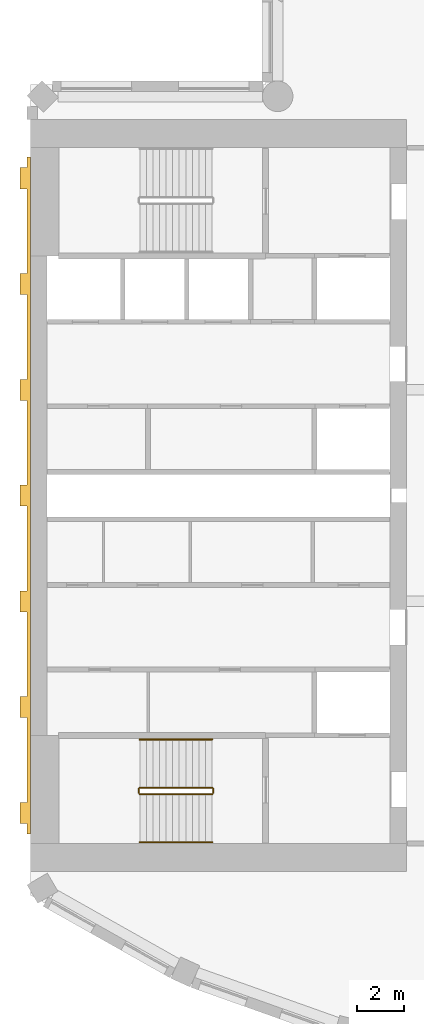
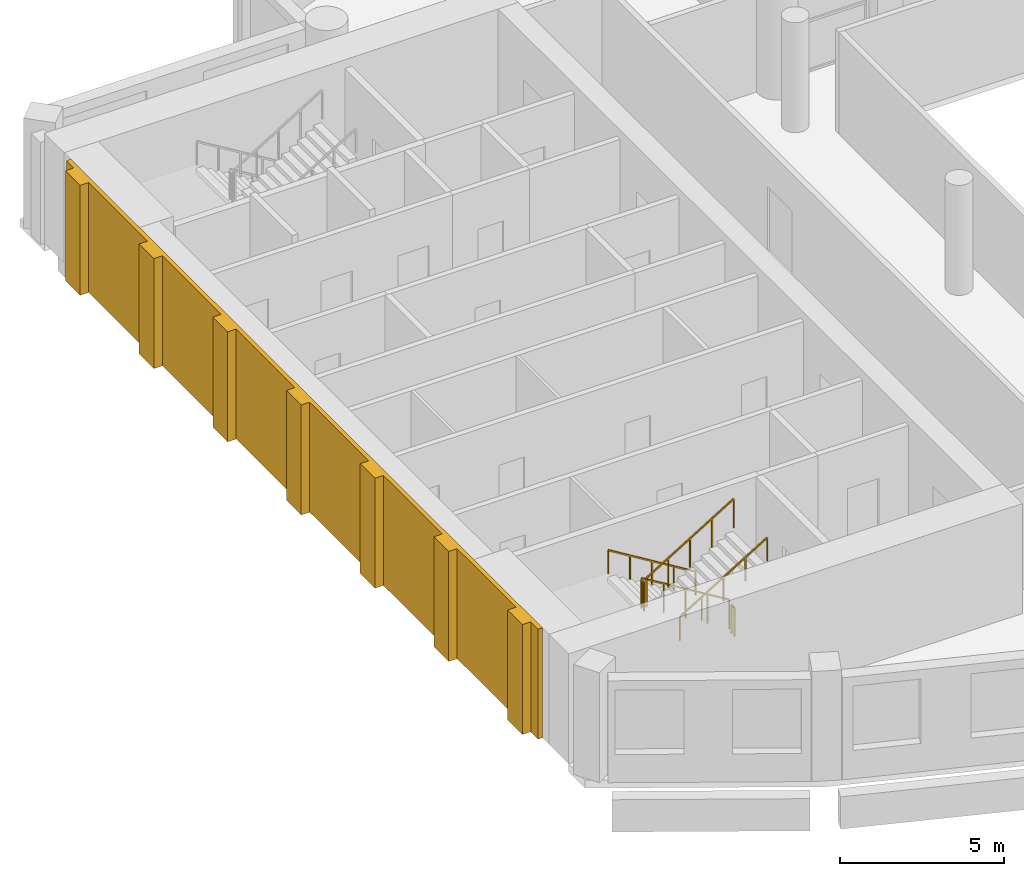
# One storey, part 10 of 14: 6 railings, 1 covering.
"""IFC4 building model written with IfcOpenShell, lengths in metres."""

from ifc_helpers import new_model, si_unit, direction, frame, origin, origin_2d, place, context, subcontext, project, spatial, polyline, rectangle, outline, extrude, material, layer, layer_set, type_object, element, save


model = new_model("IFC4")

# Units and contexts
model_context = context("Model", 3, precision=1e-05, world=origin(), true_north=direction((0.0, 1.0)))
body_context = subcontext(model_context, "Body", "Model", "MODEL_VIEW")
ifc_project = project(units=[si_unit("LENGTHUNIT", "METRE"), si_unit("AREAUNIT", "SQUARE_METRE"), si_unit("VOLUMEUNIT", "CUBIC_METRE"), si_unit("PLANEANGLEUNIT", "RADIAN"), si_unit("MASSUNIT", "GRAM", prefix="KILO")], contexts=[model_context])

# Site, building, storey
site_placement = place(None, origin())
site = spatial("IfcSite", under=ifc_project, at=site_placement, CompositionType="ELEMENT")
building_placement = place(site_placement, origin())
building = spatial("IfcBuilding", under=site, at=building_placement, Name="Cypress Arch Tower", CompositionType="ELEMENT")
storey_placement = place(building_placement, frame((0.0, 0.0, 276.199951171875)))
storey = spatial("IfcBuildingStorey", under=building, at=storey_placement, Name="L62", CompositionType="ELEMENT", Elevation=276.199951171875)

# Railings
ifc_material_1 = material(Name="Black powder-coated steel square bar 48 mm", Category="steel")
railing_type_1 = type_object("IfcRailingType", Name="Stair handrail HR1", PredefinedType="HANDRAIL", material=ifc_material_1)
railing_1_placement = place(storey_placement, frame((-22.27490234375, -10.375, 0.1708984375)))
element("IfcRailing", 1, at=railing_1_placement, inside=storey, type_object=railing_type_1, Name="L62 A stair handrail 1", PredefinedType="HANDRAIL", context=body_context, shape_type="SweptSolid", body=[
    extrude(rectangle(XDim=0.048095703125, YDim=0.048095703125, at=origin_2d()), frame((0.0, 0.0, 0.8759765625), z_axis=(-0.853666305674, 0.0, 0.52082035152), x_axis=(0.0, -1.0, 0.0)), (0.0, 0.0, 1.0), 3.608154296875),
    extrude(rectangle(XDim=0.0419921875, YDim=0.0419921875, at=origin_2d()), origin(), (0.0, 0.0, 1.0), 0.851806640625),
    extrude(rectangle(XDim=0.0419921875, YDim=0.0419921875, at=origin_2d()), frame((-0.77001953125, 0.0, 0.4697265625)), (0.0, 0.0, 1.0), 0.851806640625),
    extrude(rectangle(XDim=0.0419921875, YDim=0.0419921875, at=origin_2d()), frame((-1.5400390625, 0.0, 0.939453125)), (0.0, 0.0, 1.0), 0.851806640625),
    extrude(rectangle(XDim=0.0419921875, YDim=0.0419921875, at=origin_2d()), frame((-2.31005859375, 0.0, 1.409423828125)), (0.0, 0.0, 1.0), 0.851806640625),
    extrude(rectangle(XDim=0.0419921875, YDim=0.0419921875, at=origin_2d()), frame((-3.080078125, 0.0, 1.879150390625)), (0.0, 0.0, 1.0), 0.851806640625),
])
railing_2_placement = place(storey_placement, frame((-25.35498046875, -14.75, 2.220947265625)))
element("IfcRailing", 2, at=railing_2_placement, inside=storey, type_object=railing_type_1, Name="L62 A stair handrail 2", PredefinedType="HANDRAIL", context=body_context, shape_type="SweptSolid", body=[
    extrude(rectangle(XDim=0.048095703125, YDim=0.048095703125, at=origin_2d()), frame((0.0, 0.0, 0.8759765625), z_axis=(0.853666305674, 0.0, 0.52082035152), x_axis=(0.0, 1.0, 0.0)), (0.0, 0.0, 1.0), 3.608154296875),
    extrude(rectangle(XDim=0.0419921875, YDim=0.0419921875, at=origin_2d()), origin(), (0.0, 0.0, 1.0), 0.851806640625),
    extrude(rectangle(XDim=0.0419921875, YDim=0.0419921875, at=origin_2d()), frame((0.77001953125, 0.0, 0.4697265625)), (0.0, 0.0, 1.0), 0.851806640625),
    extrude(rectangle(XDim=0.0419921875, YDim=0.0419921875, at=origin_2d()), frame((1.5400390625, 0.0, 0.939453125)), (0.0, 0.0, 1.0), 0.851806640625),
    extrude(rectangle(XDim=0.0419921875, YDim=0.0419921875, at=origin_2d()), frame((2.31005859375, 0.0, 1.409423828125)), (0.0, 0.0, 1.0), 0.851806640625),
    extrude(rectangle(XDim=0.0419921875, YDim=0.0419921875, at=origin_2d()), frame((3.080078125, 0.0, 1.879150390625)), (0.0, 0.0, 1.0), 0.851806640625),
])
ifc_material_2 = material(Name="Black powder-coated steel balusters", Category="steel")
railing_type_2 = type_object("IfcRailingType", Name="Stair well guard G1", PredefinedType="GUARDRAIL", material=ifc_material_2)
railing_3_placement = place(storey_placement, frame((-22.27490234375, -12.425048828125, 0.1708984375)))
element("IfcRailing", 3, at=railing_3_placement, inside=storey, type_object=railing_type_2, Name="L62 A stair guard 1", PredefinedType="GUARDRAIL", context=body_context, shape_type="SweptSolid", body=[
    extrude(rectangle(XDim=0.048095703125, YDim=0.048095703125, at=origin_2d()), frame((0.0, 0.0, 1.076171875), z_axis=(-0.853666305674, 0.0, 0.52082035152), x_axis=(0.0, -1.0, 0.0)), (0.0, 0.0, 1.0), 3.608154296875),
    extrude(rectangle(XDim=0.0419921875, YDim=0.0419921875, at=origin_2d()), origin(), (0.0, 0.0, 1.0), 1.052001953125),
    extrude(rectangle(XDim=0.0419921875, YDim=0.0419921875, at=origin_2d()), frame((-0.77001953125, 0.0, 0.4697265625)), (0.0, 0.0, 1.0), 1.052001953125),
    extrude(rectangle(XDim=0.0419921875, YDim=0.0419921875, at=origin_2d()), frame((-1.5400390625, 0.0, 0.939453125)), (0.0, 0.0, 1.0), 1.052001953125),
    extrude(rectangle(XDim=0.0419921875, YDim=0.0419921875, at=origin_2d()), frame((-2.31005859375, 0.0, 1.409423828125)), (0.0, 0.0, 1.0), 1.052001953125),
    extrude(rectangle(XDim=0.0419921875, YDim=0.0419921875, at=origin_2d()), frame((-3.080078125, 0.0, 1.879150390625)), (0.0, 0.0, 1.0), 1.052001953125),
])
railing_4_placement = place(storey_placement, frame((-25.405029296875, -12.47509765625, 2.050048828125)))
element("IfcRailing", 4, at=railing_4_placement, inside=storey, type_object=railing_type_2, Name="L62 A stair guard 2", PredefinedType="GUARDRAIL", context=body_context, shape_type="SweptSolid", body=[
    extrude(rectangle(XDim=0.048095703125, YDim=0.048095703125, at=origin_2d()), frame((0.0, 0.0, 1.076171875), z_axis=(0.0, -1.0, 0.0), x_axis=(1.0, 0.0, 0.0)), (0.0, 0.0, 1.0), 0.1748046875),
    extrude(rectangle(XDim=0.0419921875, YDim=0.0419921875, at=origin_2d()), origin(), (0.0, 0.0, 1.0), 1.052001953125),
    extrude(rectangle(XDim=0.0419921875, YDim=0.0419921875, at=origin_2d()), frame((0.0, -0.1748046875, 0.0)), (0.0, 0.0, 1.0), 1.052001953125),
])
railing_5_placement = place(storey_placement, frame((-25.35498046875, -12.699951171875, 2.220947265625)))
element("IfcRailing", 5, at=railing_5_placement, inside=storey, type_object=railing_type_2, Name="L62 A stair guard 3", PredefinedType="GUARDRAIL", context=body_context, shape_type="SweptSolid", body=[
    extrude(rectangle(XDim=0.048095703125, YDim=0.048095703125, at=origin_2d()), frame((0.0, 0.0, 1.076171875), z_axis=(0.853666305674, 0.0, 0.52082035152), x_axis=(0.0, 1.0, 0.0)), (0.0, 0.0, 1.0), 3.608154296875),
    extrude(rectangle(XDim=0.0419921875, YDim=0.0419921875, at=origin_2d()), origin(), (0.0, 0.0, 1.0), 1.052001953125),
    extrude(rectangle(XDim=0.0419921875, YDim=0.0419921875, at=origin_2d()), frame((0.77001953125, 0.0, 0.4697265625)), (0.0, 0.0, 1.0), 1.052001953125),
    extrude(rectangle(XDim=0.0419921875, YDim=0.0419921875, at=origin_2d()), frame((1.5400390625, 0.0, 0.939453125)), (0.0, 0.0, 1.0), 1.052001953125),
    extrude(rectangle(XDim=0.0419921875, YDim=0.0419921875, at=origin_2d()), frame((2.31005859375, 0.0, 1.409423828125)), (0.0, 0.0, 1.0), 1.052001953125),
    extrude(rectangle(XDim=0.0419921875, YDim=0.0419921875, at=origin_2d()), frame((3.080078125, 0.0, 1.879150390625)), (0.0, 0.0, 1.0), 1.052001953125),
])
railing_6_placement = place(storey_placement, frame((-22.22509765625, -12.47509765625, 0.0)))
element("IfcRailing", 6, at=railing_6_placement, inside=storey, type_object=railing_type_2, Name="L62 A stair guard 4", PredefinedType="GUARDRAIL", context=body_context, shape_type="SweptSolid", body=[
    extrude(rectangle(XDim=0.048095703125, YDim=0.048095703125, at=origin_2d()), frame((0.0, 0.0, 1.076171875), z_axis=(0.0, -1.0, 0.0), x_axis=(1.0, 0.0, 0.0)), (0.0, 0.0, 1.0), 0.1748046875),
    extrude(rectangle(XDim=0.0419921875, YDim=0.0419921875, at=origin_2d()), origin(), (0.0, 0.0, 1.0), 1.052001953125),
    extrude(rectangle(XDim=0.0419921875, YDim=0.0419921875, at=origin_2d()), frame((0.0, -0.1748046875, 0.0)), (0.0, 0.0, 1.0), 1.052001953125),
])

# Covering
ifc_material_3 = material(Name="Brick (red buff blend)", Category="masonry")
ifc_layer = layer(ifc_material_3, 0.449951171875)
ifc_layer_set = layer_set([ifc_layer], Name="West face brick piers WP450")
covering_type = type_object("IfcCoveringType", Name="West face brick piers WP450", PredefinedType="CLADDING", material=ifc_layer_set)
covering_placement = place(storey_placement, origin())
element("IfcCovering", 7, at=covering_placement, inside=storey, type_object=covering_type, Name="West face brick piers L62", PredefinedType="CLADDING", context=body_context, shape_type="SweptSolid", body=[
    extrude(outline(polyline([(-30.14990234375, -13.050048828125), (-30.14990234375, -9.449951171875), (-30.449951171875, -9.449951171875), (-30.449951171875, -8.550048828125), (-30.14990234375, -8.550048828125), (-30.14990234375, -4.949951171875), (-30.449951171875, -4.949951171875), (-30.449951171875, -4.050048828125), (-30.14990234375, -4.050048828125), (-30.14990234375, -0.449951171875), (-30.449951171875, -0.449951171875), (-30.449951171875, 0.449951171875), (-30.14990234375, 0.449951171875), (-30.14990234375, 4.050048828125), (-30.449951171875, 4.050048828125), (-30.449951171875, 4.949951171875), (-30.14990234375, 4.949951171875), (-30.14990234375, 8.550048828125), (-30.449951171875, 8.550048828125), (-30.449951171875, 9.449951171875), (-30.14990234375, 9.449951171875), (-30.14990234375, 13.050048828125), (-30.449951171875, 13.050048828125), (-30.449951171875, 13.949951171875), (-30.14990234375, 13.949951171875), (-30.14990234375, 14.39990234375), (-30.0, 14.39990234375), (-30.0, -14.39990234375), (-30.14990234375, -14.39990234375), (-30.14990234375, -13.949951171875), (-30.449951171875, -13.949951171875), (-30.449951171875, -13.050048828125), (-30.14990234375, -13.050048828125)])), origin(), (0.0, 0.0, 1.0), 4.10009765625),
])

save(model, "model.ifc")
